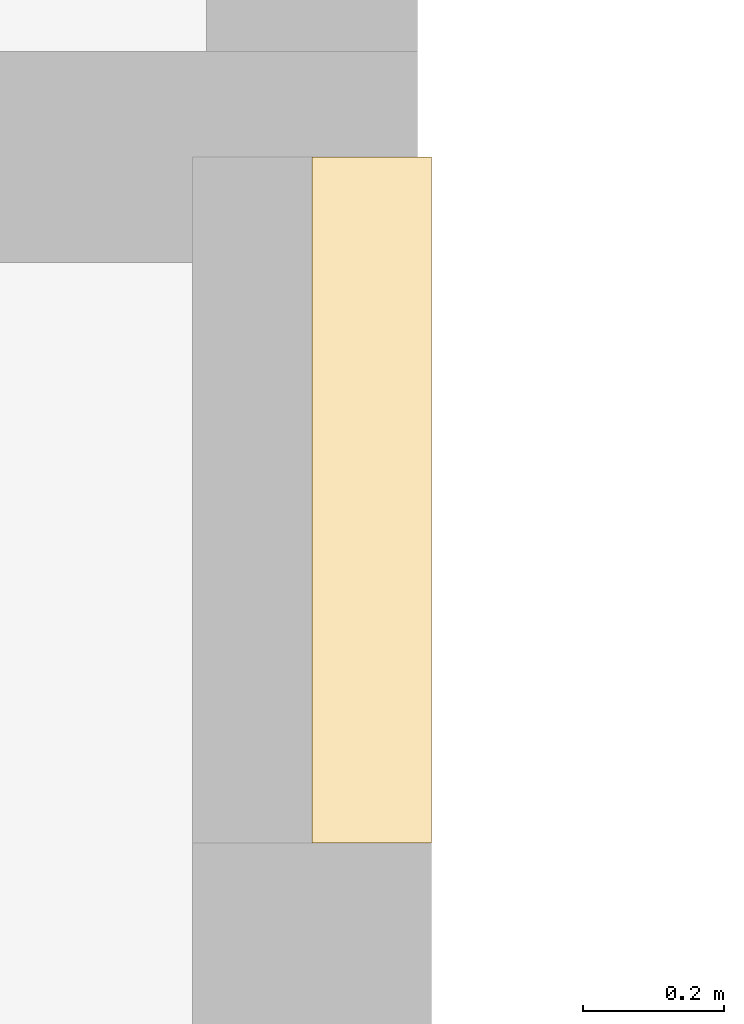
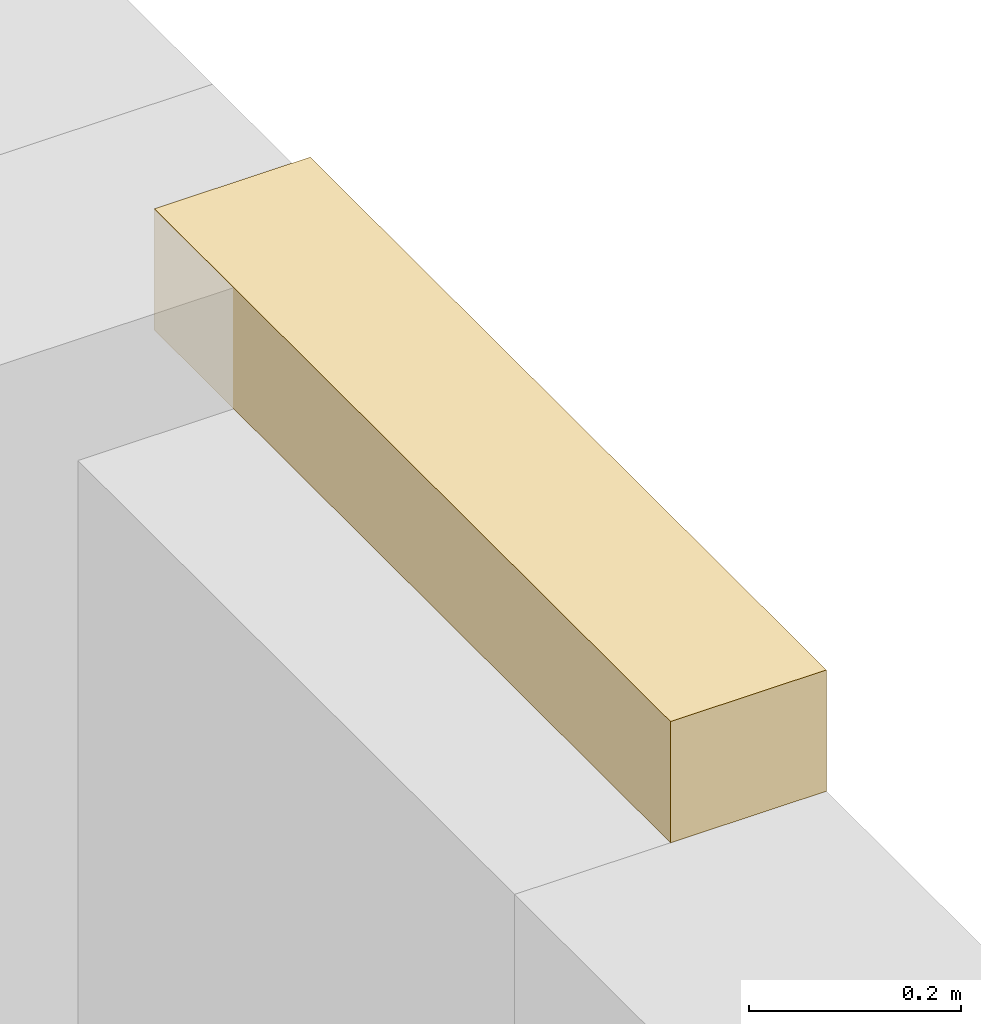
# One storey, part 120 of 120: 1 covering.
"""IFC4 building model written with IfcOpenShell, lengths in metres."""

from ifc_helpers import new_model, si_unit, direction, frame, origin, origin_2d, place, context, subcontext, project, spatial, rectangle, extrude, material, layer, layer_set, type_object, element, save


model = new_model("IFC4")

# Units and contexts
model_context = context("Model", 3, precision=1e-05, world=origin(), true_north=direction((0.0, 1.0)))
body_context = subcontext(model_context, "Body", "Model", "MODEL_VIEW")
ifc_project = project(units=[si_unit("LENGTHUNIT", "METRE"), si_unit("AREAUNIT", "SQUARE_METRE"), si_unit("VOLUMEUNIT", "CUBIC_METRE"), si_unit("PLANEANGLEUNIT", "RADIAN"), si_unit("MASSUNIT", "GRAM", prefix="KILO")], contexts=[model_context])

# Site, building, storey
site_placement = place(None, origin())
site = spatial("IfcSite", under=ifc_project, at=site_placement, CompositionType="ELEMENT")
building_placement = place(site_placement, origin())
building = spatial("IfcBuilding", under=site, at=building_placement, Name="Kupolbacken Congress Centre", CompositionType="ELEMENT")
storey_placement = place(building_placement, frame((0.0, 0.0, 21.60009765625)))
storey = spatial("IfcBuildingStorey", under=building, at=storey_placement, Name="L06", CompositionType="ELEMENT", Elevation=21.60009765625)

# Covering
ifc_material = material(Name="Limestone cladding", Category="masonry")
ifc_layer = layer(ifc_material, 0.1201171875)
ifc_layer_set = layer_set([ifc_layer], Name="Limestone cladding")
covering_type = type_object("IfcCoveringType", Name="CV1 limestone cladding band 120", PredefinedType="CLADDING", material=ifc_layer_set)
covering_placement = place(storey_placement, frame((136.885009765625, 137.512451171875, 3.4599609375), z_axis=(0.0, 0.0, 1.0), x_axis=(0.0, 1.0, 0.0)))
element("IfcCovering", 1, at=covering_placement, inside=storey, type_object=covering_type, Name="E/T/E/L06/083/band", PredefinedType="CLADDING", context=body_context, shape_type="SweptSolid", body=[
    extrude(rectangle(XDim=0.97509765625, YDim=0.169921875, at=origin_2d()), origin(), (0.0, 0.0, 1.0), 0.139892578125),
])

save(model, "model.ifc")
